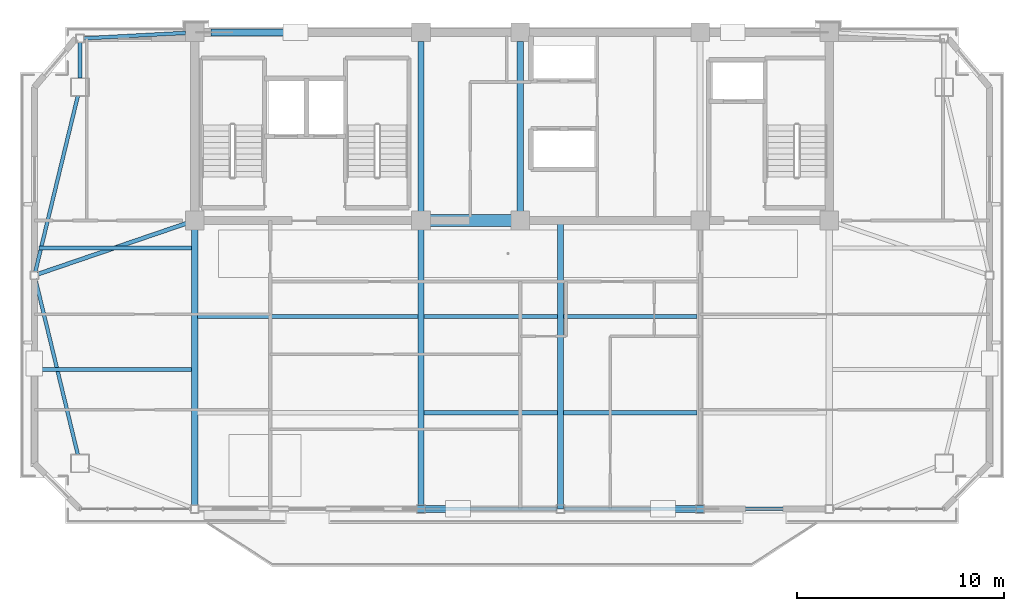
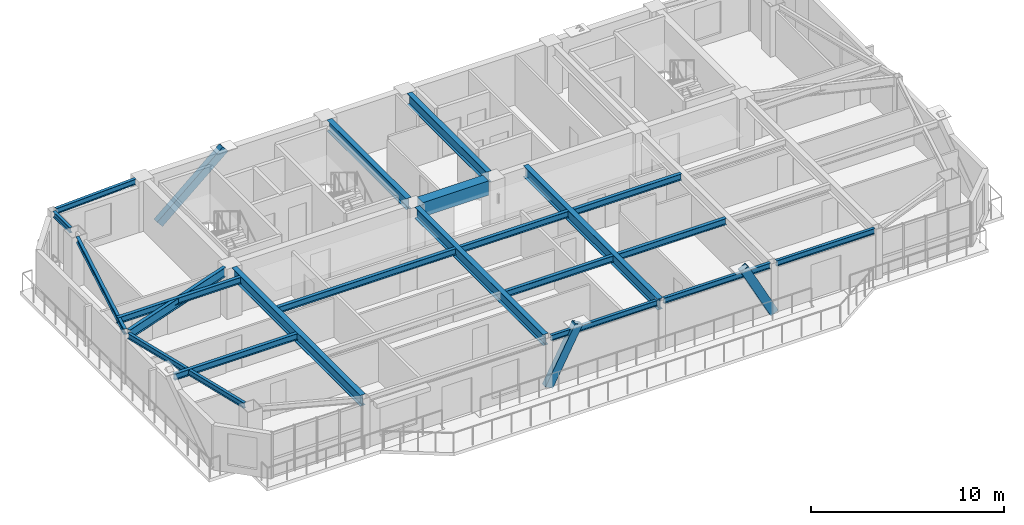
# One storey, part 3 of 12: 21 beams, 3 members.
"""IFC4 building model written with IfcOpenShell, lengths in metres."""

from ifc_helpers import new_model, si_unit, direction, frame, origin, origin_2d, place, context, subcontext, project, spatial, rectangle, hollow_rectangle, i_section, extrude, source, transform, mapped, material, material_profile, profile_set, type_object, element, save


model = new_model("IFC4")

# Units and contexts
model_context = context("Model", 3, precision=1e-05, world=origin(), true_north=direction((0.0, 1.0)))
body_context = subcontext(model_context, "Body", "Model", "MODEL_VIEW")
ifc_project = project(units=[si_unit("LENGTHUNIT", "METRE"), si_unit("AREAUNIT", "SQUARE_METRE"), si_unit("VOLUMEUNIT", "CUBIC_METRE"), si_unit("PLANEANGLEUNIT", "RADIAN"), si_unit("MASSUNIT", "GRAM", prefix="KILO")], contexts=[model_context])

# Site, building, storey
site_placement = place(None, origin())
site = spatial("IfcSite", under=ifc_project, at=site_placement, CompositionType="ELEMENT")
building_placement = place(site_placement, origin())
building = spatial("IfcBuilding", under=site, at=building_placement, Name="Giltprow Tower", CompositionType="ELEMENT")
storey_placement = place(building_placement, frame((0.0, 0.0, 345.89990234375)))
storey = spatial("IfcBuildingStorey", under=building, at=storey_placement, Name="L90", CompositionType="ELEMENT", Elevation=345.89990234375)

# Beams
ifc_material_1 = material(Name="Structural steel Q355B", Category="steel")
ifc_material_profile_1 = material_profile(ifc_material_1, i_section(OverallWidth=0.199951171875, OverallDepth=0.39990234375, WebThickness=0.008056640625, FlangeThickness=0.012939453125, at=origin_2d()), Name="HN 400x200x8x13")
ifc_profile_set_1 = profile_set([ifc_material_profile_1], Name="Structural steel Q355B")
beam_type_1 = type_object("IfcBeamType", Name="BM-JOIST-HN400", PredefinedType="JOIST", material=ifc_profile_set_1)
shared_shape_1 = source(origin(), body_context, "Body", "SweptSolid", [
    extrude(i_section(OverallWidth=0.199951171875, OverallDepth=0.39990234375, WebThickness=0.008056640625, FlangeThickness=0.012939453125, at=origin_2d()), origin(), (0.0, 0.0, 1.0), 10.659912109375),
])
beam_1_placement = place(storey_placement, frame((19.9951171875, 32.800048828125, 2.985107421875), z_axis=(1.0, 0.0, 0.0), x_axis=(0.0, 1.0, 0.0)))
element("IfcBeam", 1, at=beam_1_placement, inside=storey, type_object=beam_type_1, Name="L90 Composite Floor Joist 2-1", PredefinedType="JOIST", context=body_context, shape_type="MappedRepresentation", body=[
    mapped(shared_shape_1, transform((0.0, 0.0, 0.0), x_axis=(1.0, 0.0, 0.0), y_axis=(0.0, 1.0, 0.0), z_axis=(0.0, 0.0, 1.0), scale=1.0)),
])
shared_shape_2 = source(origin(), body_context, "Body", "SweptSolid", [
    extrude(i_section(OverallWidth=0.199951171875, OverallDepth=0.39990234375, WebThickness=0.008056640625, FlangeThickness=0.012939453125, at=origin_2d()), origin(), (0.0, 0.0, 1.0), 6.4599609375),
])
for number, where, z_axis, x_axis, name in (
    (2, (30.945068359375, 28.14990234375, 2.985107421875), (1.0, 0.0, 0.0), (0.0, 1.0, 0.0), "L90 Composite Floor Joist 1-2"),
    (3, (37.695068359375, 28.14990234375, 2.985107421875), (1.0, 0.0, 0.0), (0.0, 1.0, 0.0), "L90 Composite Floor Joist 1-3"),
    (4, (30.945068359375, 32.800048828125, 2.985107421875), (1.0, 0.0, 0.0), (0.0, 1.0, 0.0), "L90 Composite Floor Joist 2-2"),
    (5, (37.695068359375, 32.800048828125, 2.985107421875), (1.0, 0.0, 0.0), (0.0, 1.0, 0.0), "L90 Composite Floor Joist 2-3"),
):
    element("IfcBeam", number, at=place(storey_placement, frame(where, z_axis=z_axis, x_axis=x_axis)), inside=storey, type_object=beam_type_1, Name=name, PredefinedType="JOIST", context=body_context, shape_type="MappedRepresentation", body=[
        mapped(shared_shape_2, transform((0.0, 0.0, 0.0), x_axis=(1.0, 0.0, 0.0), y_axis=(0.0, 1.0, 0.0), z_axis=(0.0, 0.0, 1.0), scale=1.0)),
    ])
ifc_material_2 = material(Name="Concrete C50", Category="concrete")
ifc_material_profile_2 = material_profile(ifc_material_2, rectangle(XDim=0.60009765625, YDim=0.89990234375, at=origin_2d()), Name="RC 900x600")
ifc_profile_set_2 = profile_set([ifc_material_profile_2], Name="Concrete C50")
beam_type_2 = type_object("IfcBeamType", Name="BM-CPL-RC900", PredefinedType="LINTEL", material=ifc_profile_set_2)
shared_shape_3 = source(origin(), body_context, "Body", "SweptSolid", [
    extrude(rectangle(XDim=0.60009765625, YDim=0.89990234375, at=origin_2d()), origin(), (0.0, 0.0, 1.0), 3.929931640625),
])
beam_2_placement = place(storey_placement, frame((31.235107421875, 37.449951171875, 2.735107421875), z_axis=(1.0, 0.0, 0.0), x_axis=(0.0, 1.0, 0.0)))
element("IfcBeam", 6, at=beam_2_placement, inside=storey, type_object=beam_type_2, Name="L90 Core Coupling Beam CB-1", PredefinedType="LINTEL", context=body_context, shape_type="MappedRepresentation", body=[
    mapped(shared_shape_3, transform((0.0, 0.0, 0.0), x_axis=(1.0, 0.0, 0.0), y_axis=(0.0, 1.0, 0.0), z_axis=(0.0, 0.0, 1.0), scale=1.0)),
])
ifc_material_profile_3 = material_profile(ifc_material_1, i_section(OverallWidth=0.300048828125, OverallDepth=0.699951171875, WebThickness=0.012939453125, FlangeThickness=0.02392578125, at=origin_2d()), Name="HN 700x300x13x24")
ifc_profile_set_3 = profile_set([ifc_material_profile_3], Name="Structural steel Q355B")
beam_type_3 = type_object("IfcBeamType", Name="BM-GIRD-HN700", PredefinedType="BEAM", material=ifc_profile_set_3)
shared_shape_4 = source(origin(), body_context, "Body", "SweptSolid", [
    extrude(i_section(OverallWidth=0.300048828125, OverallDepth=0.699951171875, WebThickness=0.012939453125, FlangeThickness=0.02392578125, at=origin_2d()), origin(), (0.0, 0.0, 1.0), 8.22998046875),
])
for number, where, z_axis, x_axis, name in (
    (7, (30.800048828125, 37.885009765625, 2.835205078125), (0.0, 1.0, 0.0), (-1.0, 0.0, 0.0), "L90 Core Tie Girder M1"),
    (8, (35.60009765625, 37.885009765625, 2.835205078125), (0.0, 1.0, 0.0), (-1.0, 0.0, 0.0), "L90 Core Tie Girder M2"),
):
    element("IfcBeam", number, at=place(storey_placement, frame(where, z_axis=z_axis, x_axis=x_axis)), inside=storey, type_object=beam_type_3, Name=name, PredefinedType="BEAM", context=body_context, shape_type="MappedRepresentation", body=[
        mapped(shared_shape_4, transform((0.0, 0.0, 0.0), x_axis=(1.0, 0.0, 0.0), y_axis=(0.0, 1.0, 0.0), z_axis=(0.0, 0.0, 1.0), scale=1.0)),
    ])
ifc_material_profile_4 = material_profile(ifc_material_1, i_section(OverallWidth=0.175048828125, OverallDepth=0.35009765625, WebThickness=0.007080078125, FlangeThickness=0.010986328125, at=origin_2d()), Name="HN 350x175x7x11")
ifc_profile_set_4 = profile_set([ifc_material_profile_4], Name="Structural steel Q355B")
beam_type_4 = type_object("IfcBeamType", Name="BM-SPAN-HN350", PredefinedType="SPANDREL", material=ifc_profile_set_4)
shared_shape_5 = source(origin(), body_context, "Body", "SweptSolid", [
    extrude(i_section(OverallWidth=0.175048828125, OverallDepth=0.35009765625, WebThickness=0.007080078125, FlangeThickness=0.010986328125, at=origin_2d()), origin(), (0.0, 0.0, 1.0), 6.3798828125),
])
for number, where, z_axis, x_axis, name in (
    (9, (30.985107421875, 23.5, 3.010009765625), (1.0, 0.0, 0.0), (0.0, 1.0, 0.0), "L90 Perimeter Spandrel Beam S2-S_MID"),
    (10, (37.735107421875, 23.5, 3.010009765625), (1.0, 0.0, 0.0), (0.0, 1.0, 0.0), "L90 Perimeter Spandrel Beam S_MID-S3"),
):
    element("IfcBeam", number, at=place(storey_placement, frame(where, z_axis=z_axis, x_axis=x_axis)), inside=storey, type_object=beam_type_4, Name=name, PredefinedType="SPANDREL", context=body_context, shape_type="MappedRepresentation", body=[
        mapped(shared_shape_5, transform((0.0, 0.0, 0.0), x_axis=(1.0, 0.0, 0.0), y_axis=(0.0, 1.0, 0.0), z_axis=(0.0, 0.0, 1.0), scale=1.0)),
    ])
shared_shape_6 = source(origin(), body_context, "Body", "SweptSolid", [
    extrude(i_section(OverallWidth=0.175048828125, OverallDepth=0.35009765625, WebThickness=0.007080078125, FlangeThickness=0.010986328125, at=origin_2d()), origin(), (0.0, 0.0, 1.0), 5.8798828125),
])
beam_3_placement = place(storey_placement, frame((44.485107421875, 23.5, 3.010009765625), z_axis=(1.0, 0.0, 0.0), x_axis=(0.0, 1.0, 0.0)))
element("IfcBeam", 11, at=beam_3_placement, inside=storey, type_object=beam_type_4, Name="L90 Perimeter Spandrel Beam S3-S4", PredefinedType="SPANDREL", context=body_context, shape_type="MappedRepresentation", body=[
    mapped(shared_shape_6, transform((0.0, 0.0, 0.0), x_axis=(1.0, 0.0, 0.0), y_axis=(0.0, 1.0, 0.0), z_axis=(0.0, 0.0, 1.0), scale=1.0)),
])
shared_shape_7 = source(origin(), body_context, "Body", "SweptSolid", [
    extrude(i_section(OverallWidth=0.175048828125, OverallDepth=0.35009765625, WebThickness=0.007080078125, FlangeThickness=0.010986328125, at=origin_2d()), origin(), (0.0, 0.0, 1.0), 1.72998046875),
])
beam_4_placement = place(storey_placement, frame((14.300048828125, 46.06494140625, 3.010009765625), z_axis=(0.0, -1.0, 0.0), x_axis=(1.0, 0.0, 0.0)))
element("IfcBeam", 12, at=beam_4_placement, inside=storey, type_object=beam_type_4, Name="L90 Perimeter Spandrel Beam N_W-MC_NW", PredefinedType="SPANDREL", context=body_context, shape_type="MappedRepresentation", body=[
    mapped(shared_shape_7, transform((0.0, 0.0, 0.0), x_axis=(1.0, 0.0, 0.0), y_axis=(0.0, 1.0, 0.0), z_axis=(0.0, 0.0, 1.0), scale=1.0)),
])
shared_shape_8 = source(origin(), body_context, "Body", "SweptSolid", [
    extrude(i_section(OverallWidth=0.175048828125, OverallDepth=0.35009765625, WebThickness=0.007080078125, FlangeThickness=0.010986328125, at=origin_2d()), origin(), (0.0, 0.0, 1.0), 8.741943359375),
])
for number, where, z_axis, x_axis, name in (
    (13, (14.197998046875, 43.47705078125, 3.010009765625), (-0.235063655766, -0.971979978054, 0.0), (0.971979978054, -0.235063655766, 0.0), "L90 Perimeter Spandrel Beam MC_NW-W_MID"),
    (14, (12.14306640625, 34.6201171875, 3.010009765625), (0.235063655766, -0.971979978054, 0.0), (0.971979978054, 0.235063655766, 0.0), "L90 Perimeter Spandrel Beam W_MID-MC_SW"),
):
    element("IfcBeam", number, at=place(storey_placement, frame(where, z_axis=z_axis, x_axis=x_axis)), inside=storey, type_object=beam_type_4, Name=name, PredefinedType="SPANDREL", context=body_context, shape_type="MappedRepresentation", body=[
        mapped(shared_shape_8, transform((0.0, 0.0, 0.0), x_axis=(1.0, 0.0, 0.0), y_axis=(0.0, 1.0, 0.0), z_axis=(0.0, 0.0, 1.0), scale=1.0)),
    ])
shared_shape_9 = source(origin(), body_context, "Body", "SweptSolid", [
    extrude(i_section(OverallWidth=0.175048828125, OverallDepth=0.35009765625, WebThickness=0.007080078125, FlangeThickness=0.010986328125, at=origin_2d()), origin(), (0.0, 0.0, 1.0), 4.938232421875),
])
beam_5_placement = place(storey_placement, frame((14.485107421875, 46.260009765625, 3.010009765625), z_axis=(0.998536217559, 0.054087172452, 0.0), x_axis=(-0.054087172452, 0.998536217559, 0.0)))
element("IfcBeam", 15, at=beam_5_placement, inside=storey, type_object=beam_type_4, Name="L90 North Wing Spandrel W", PredefinedType="SPANDREL", context=body_context, shape_type="MappedRepresentation", body=[
    mapped(shared_shape_9, transform((0.0, 0.0, 0.0), x_axis=(1.0, 0.0, 0.0), y_axis=(0.0, 1.0, 0.0), z_axis=(0.0, 0.0, 1.0), scale=1.0)),
])
shared_shape_10 = source(origin(), body_context, "Body", "SweptSolid", [
    extrude(i_section(OverallWidth=0.300048828125, OverallDepth=0.699951171875, WebThickness=0.012939453125, FlangeThickness=0.02392578125, at=origin_2d()), origin(), (0.0, 0.0, 1.0), 13.329833984375),
])
for number, where, z_axis, x_axis, name in (
    (16, (19.85009765625, 23.68505859375, 2.835205078125), (0.0, 1.0, 0.0), (-1.0, 0.0, 0.0), "L90 Primary Lease Girder S1"),
    (17, (30.800048828125, 23.68505859375, 2.835205078125), (0.0, 1.0, 0.0), (-1.0, 0.0, 0.0), "L90 Primary Lease Girder S2"),
):
    element("IfcBeam", number, at=place(storey_placement, frame(where, z_axis=z_axis, x_axis=x_axis)), inside=storey, type_object=beam_type_3, Name=name, PredefinedType="BEAM", context=body_context, shape_type="MappedRepresentation", body=[
        mapped(shared_shape_10, transform((0.0, 0.0, 0.0), x_axis=(1.0, 0.0, 0.0), y_axis=(0.0, 1.0, 0.0), z_axis=(0.0, 0.0, 1.0), scale=1.0)),
    ])
shared_shape_11 = source(origin(), body_context, "Body", "SweptSolid", [
    extrude(i_section(OverallWidth=0.300048828125, OverallDepth=0.699951171875, WebThickness=0.012939453125, FlangeThickness=0.02392578125, at=origin_2d()), origin(), (0.0, 0.0, 1.0), 13.949951171875),
])
beam_6_placement = place(storey_placement, frame((37.550048828125, 23.5, 2.835205078125), z_axis=(0.0, 1.0, 0.0), x_axis=(-1.0, 0.0, 0.0)))
element("IfcBeam", 18, at=beam_6_placement, inside=storey, type_object=beam_type_3, Name="L90 Central Lease Girder SMID", PredefinedType="BEAM", context=body_context, shape_type="MappedRepresentation", body=[
    mapped(shared_shape_11, transform((0.0, 0.0, 0.0), x_axis=(1.0, 0.0, 0.0), y_axis=(0.0, 1.0, 0.0), z_axis=(0.0, 0.0, 1.0), scale=1.0)),
])
ifc_material_profile_5 = material_profile(ifc_material_1, i_section(OverallWidth=0.199951171875, OverallDepth=0.60009765625, WebThickness=0.010986328125, FlangeThickness=0.01708984375, at=origin_2d()), Name="HN 600x200x11x17")
ifc_profile_set_5 = profile_set([ifc_material_profile_5], Name="Structural steel Q355B")
beam_type_5 = type_object("IfcBeamType", Name="BM-GIRD-HN600", PredefinedType="BEAM", material=ifc_profile_set_5)
shared_shape_12 = source(origin(), body_context, "Body", "SweptSolid", [
    extrude(i_section(OverallWidth=0.199951171875, OverallDepth=0.60009765625, WebThickness=0.010986328125, FlangeThickness=0.01708984375, at=origin_2d()), origin(), (0.0, 0.0, 1.0), 7.570068359375),
])
beam_7_placement = place(storey_placement, frame((12.27490234375, 34.860107421875, 2.885009765625), z_axis=(0.946226868373, 0.323503807657, 0.0), x_axis=(-0.323503807657, 0.946226868373, 0.0)))
element("IfcBeam", 19, at=beam_7_placement, inside=storey, type_object=beam_type_5, Name="L90 West Wing Primary Girder", PredefinedType="BEAM", context=body_context, shape_type="MappedRepresentation", body=[
    mapped(shared_shape_12, transform((0.0, 0.0, 0.0), x_axis=(1.0, 0.0, 0.0), y_axis=(0.0, 1.0, 0.0), z_axis=(0.0, 0.0, 1.0), scale=1.0)),
])
shared_shape_13 = source(origin(), body_context, "Body", "SweptSolid", [
    extrude(i_section(OverallWidth=0.199951171875, OverallDepth=0.39990234375, WebThickness=0.008056640625, FlangeThickness=0.012939453125, at=origin_2d()), origin(), (0.0, 0.0, 1.0), 7.385009765625),
])
for number, where, z_axis, x_axis, name in (
    (20, (12.320068359375, 30.25, 2.985107421875), (1.0, 0.0, 0.0), (0.0, 1.0, 0.0), "L90 West Wing Floor Joist 1"),
    (21, (12.320068359375, 36.125, 2.985107421875), (1.0, 0.0, 0.0), (0.0, 1.0, 0.0), "L90 West Wing Floor Joist 2"),
):
    element("IfcBeam", number, at=place(storey_placement, frame(where, z_axis=z_axis, x_axis=x_axis)), inside=storey, type_object=beam_type_1, Name=name, PredefinedType="JOIST", context=body_context, shape_type="MappedRepresentation", body=[
        mapped(shared_shape_13, transform((0.0, 0.0, 0.0), x_axis=(1.0, 0.0, 0.0), y_axis=(0.0, 1.0, 0.0), z_axis=(0.0, 0.0, 1.0), scale=1.0)),
    ])

# Members
ifc_material_3 = material(Name="Structural steel Q420GJC", Category="steel")
ifc_material_profile_6 = material_profile(ifc_material_3, hollow_rectangle(XDim=0.35009765625, YDim=0.5, WallThickness=0.02392578125, at=origin_2d()), Name="RHS 500x350x24")
ifc_profile_set_6 = profile_set([ifc_material_profile_6], Name="Structural steel Q420GJC")
member_type = type_object("IfcMemberType", Name="MBR-MEGA-RHS500", PredefinedType="BRACE", material=ifc_profile_set_6)
shared_shape_14 = source(origin(), body_context, "Body", "SweptSolid", [
    extrude(hollow_rectangle(XDim=0.35009765625, YDim=0.5, WallThickness=0.02392578125, at=origin_2d()), origin(), (0.0, 0.0, 1.0), 3.843994140625),
])
for number, where, z_axis, x_axis, name in (
    (22, (30.800048828125, 23.5, 0.0), (0.466442594183, 0.0, 0.884551471839), (0.0, 1.0, 0.0), "L90 Chevron Mega-Brace S-L"),
    (23, (44.300048828125, 23.5, 0.0), (-0.466442594183, 0.0, 0.884551471839), (0.0, -1.0, 0.0), "L90 Chevron Mega-Brace S-R"),
):
    element("IfcMember", number, at=place(storey_placement, frame(where, z_axis=z_axis, x_axis=x_axis)), inside=storey, type_object=member_type, Name=name, PredefinedType="BRACE", context=body_context, shape_type="MappedRepresentation", body=[
        mapped(shared_shape_14, transform((0.0, 0.0, 0.0), x_axis=(1.0, 0.0, 0.0), y_axis=(0.0, 1.0, 0.0), z_axis=(0.0, 0.0, 1.0), scale=1.0)),
    ])
shared_shape_15 = source(origin(), body_context, "Body", "SweptSolid", [
    extrude(hollow_rectangle(XDim=0.35009765625, YDim=0.5, WallThickness=0.02392578125, at=origin_2d()), origin(), (0.0, 0.0, 1.0), 5.197265625),
])
member_placement = place(storey_placement, frame((20.800048828125, 46.550048828125, -0.139892578125), z_axis=(0.756344327177, 0.0, 0.654173722146), x_axis=(0.0, 1.0, 0.0)))
element("IfcMember", 24, at=member_placement, inside=storey, type_object=member_type, Name="L90 Chevron Mega-Brace N-L", PredefinedType="BRACE", context=body_context, shape_type="MappedRepresentation", body=[
    mapped(shared_shape_15, transform((0.0, 0.0, 0.0), x_axis=(1.0, 0.0, 0.0), y_axis=(0.0, 1.0, 0.0), z_axis=(0.0, 0.0, 1.0), scale=1.0)),
])

save(model, "model.ifc")
